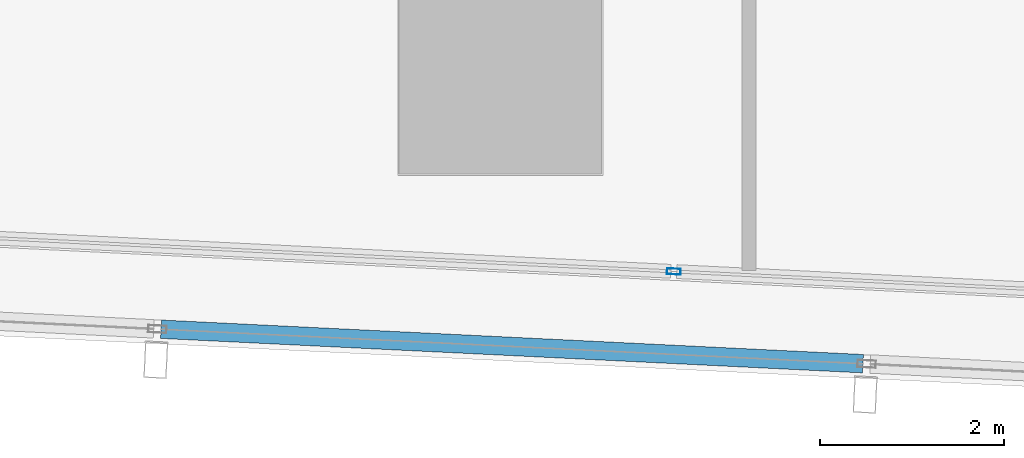
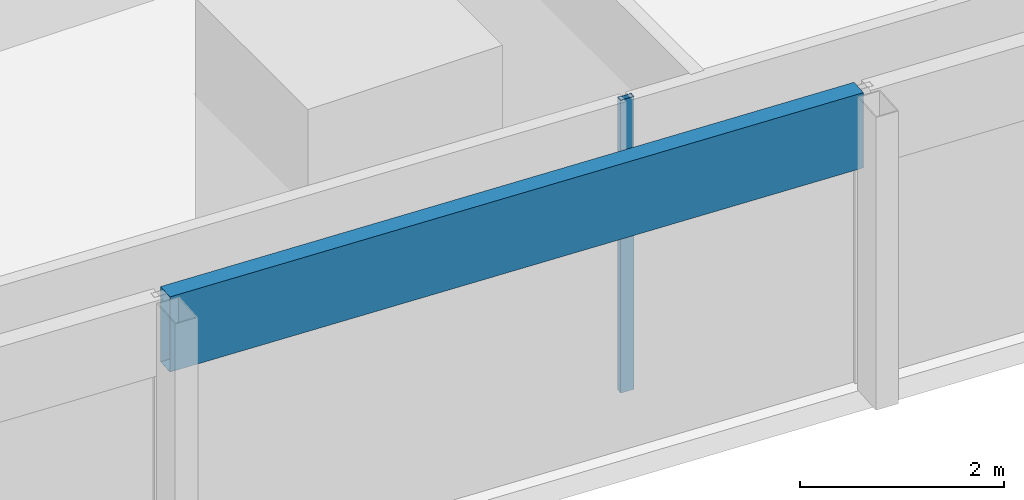
# One storey, part 6 of 44: 2 members, 2 elements without a shape of their own.
"""IFC4 building model written with IfcOpenShell, lengths in metres."""

from ifc_helpers import new_model, si_unit, direction, frame, origin, origin_2d, place, context, subcontext, project, spatial, hollow_rectangle, extrude, material, material_profile, profile_set, type_object, element, aggregate, save


model = new_model("IFC4")

# Units and contexts
model_context = context("Model", 3, precision=1e-05, world=origin(), true_north=direction((0.0, 1.0)))
body_context = subcontext(model_context, "Body", "Model", "MODEL_VIEW")
ifc_project = project(units=[si_unit("LENGTHUNIT", "METRE"), si_unit("AREAUNIT", "SQUARE_METRE"), si_unit("VOLUMEUNIT", "CUBIC_METRE"), si_unit("PLANEANGLEUNIT", "RADIAN"), si_unit("MASSUNIT", "GRAM", prefix="KILO")], contexts=[model_context])

# Site, building, storey
site_placement = place(None, origin())
site = spatial("IfcSite", under=ifc_project, at=site_placement, CompositionType="ELEMENT")
building_placement = place(site_placement, origin())
building = spatial("IfcBuilding", under=site, at=building_placement, Name="Rekha Terrace Tower", CompositionType="ELEMENT")
storey_placement = place(building_placement, frame((0.0, 0.0, 47.89990234375)))
storey = spatial("IfcBuildingStorey", under=building, at=storey_placement, Name="L11", CompositionType="ELEMENT", Elevation=47.89990234375)

# Curtain wall, member
ifc_material_1 = material(Name="Aluminium framing", Category="aluminium")
curtain_wall_type_1 = type_object("IfcCurtainWallType", Name="CW1 double skin inner glazing", PredefinedType="USERDEFINED", material=ifc_material_1)
curtain_wall_1_placement = place(storey_placement, origin())
curtain_wall_1 = element("IfcCurtainWall", 1, at=curtain_wall_1_placement, inside=storey, type_object=curtain_wall_type_1, Name="CW1 double skin inner glazing", ObjectType="DOUBLE SKIN INNER GLAZING", PredefinedType="USERDEFINED")
ifc_material_2 = material(Name="Aluminium mullion section", Category="aluminium")
ifc_material_profile_1 = material_profile(ifc_material_2, hollow_rectangle(XDim=0.06494140625, YDim=0.14990234375, WallThickness=0.00390625, at=origin_2d()), Name="AL RHS 65x150")
ifc_profile_set_1 = profile_set([ifc_material_profile_1], Name="Aluminium mullion section")
member_type_1 = type_object("IfcMemberType", Name="CW1 mullion RHS 65 x 150", PredefinedType="MULLION", material=ifc_profile_set_1)
member_1_placement = place(storey_placement, frame((35.48388671875, 6.24267578125, 0.0), z_axis=(0.0, 0.0, 1.0), x_axis=(0.049051717746, 0.998796239974, 0.0)))
member_1 = element("IfcMember", 2, at=member_1_placement, type_object=member_type_1, Name="CW1 mullion 3", PredefinedType="MULLION", context=body_context, shape_type="SweptSolid", body=[
    extrude(hollow_rectangle(XDim=0.06494140625, YDim=0.14990234375, WallThickness=0.00390625, at=origin_2d()), origin(), (0.0, 0.0, 1.0), 3.5),
])
aggregate(curtain_wall_1, [member_1])

curtain_wall_type_2 = type_object("IfcCurtainWallType", Name="CW2 double skin outer glazing", PredefinedType="USERDEFINED", material=ifc_material_1)
curtain_wall_2_placement = place(storey_placement, origin())
curtain_wall_2 = element("IfcCurtainWall", 3, at=curtain_wall_2_placement, inside=storey, type_object=curtain_wall_type_2, Name="CW2 double skin outer glazing", ObjectType="DOUBLE SKIN OUTER GLAZING", PredefinedType="USERDEFINED")
ifc_material_3 = material(Name="Insulated aluminium spandrel box", Category="aluminium")
ifc_material_profile_2 = material_profile(ifc_material_3, hollow_rectangle(XDim=0.199951171875, YDim=0.89990234375, WallThickness=0.0029296875, at=origin_2d()), Name="AL SPANDREL BOX 200x900")
ifc_profile_set_2 = profile_set([ifc_material_profile_2], Name="Insulated aluminium spandrel box")
member_type_2 = type_object("IfcMemberType", Name="CW2 spandrel transom 200 x 900", PredefinedType="USERDEFINED", material=ifc_profile_set_2)
member_2_placement = place(storey_placement, frame((29.91259765625, 5.615234375, 3.050048828125), z_axis=(0.998796434643, -0.049047753721, 0.0), x_axis=(0.049047753721, 0.998796434643, 0.0)))
member_2 = element("IfcMember", 4, at=member_2_placement, type_object=member_type_2, Name="CW2 spandrel transom 4", ObjectType="TRANSOM", PredefinedType="USERDEFINED", context=body_context, shape_type="SweptSolid", body=[
    extrude(hollow_rectangle(XDim=0.199951171875, YDim=0.89990234375, WallThickness=0.0029296875, at=origin_2d()), origin(), (0.0, 0.0, 1.0), 7.6357421875),
])
aggregate(curtain_wall_2, [member_2])

save(model, "model.ifc")
